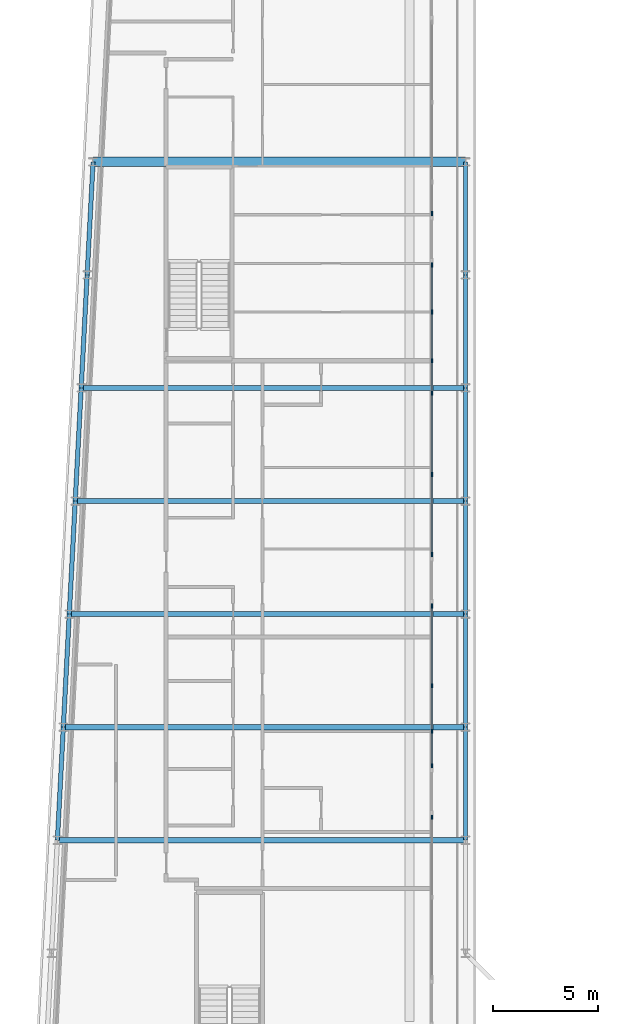
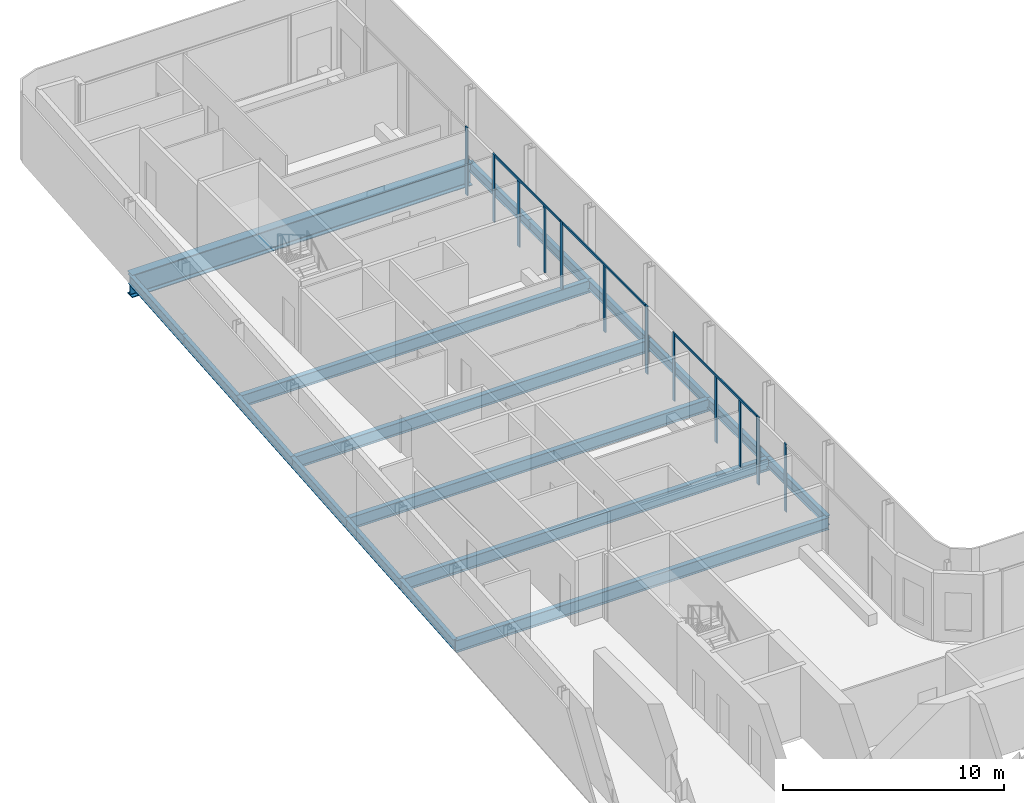
# One storey, part 7 of 21: 18 beams, 15 members, 5 elements without a shape of their own.
"""IFC4 building model written with IfcOpenShell, lengths in metres."""

from ifc_helpers import new_model, si_unit, direction, frame, origin, origin_2d, place, context, subcontext, project, spatial, rectangle, i_section, extrude, material, layer, layer_set, material_profile, profile_set, type_object, element, aggregate, save


model = new_model("IFC4")

# Units and contexts
model_context = context("Model", 3, precision=1e-05, world=origin(), true_north=direction((0.0, 1.0)))
body_context = subcontext(model_context, "Body", "Model", "MODEL_VIEW")
ifc_project = project(units=[si_unit("LENGTHUNIT", "METRE"), si_unit("AREAUNIT", "SQUARE_METRE"), si_unit("VOLUMEUNIT", "CUBIC_METRE"), si_unit("PLANEANGLEUNIT", "RADIAN"), si_unit("MASSUNIT", "GRAM", prefix="KILO")], contexts=[model_context])

# Site, building, storey
site_placement = place(None, origin())
site = spatial("IfcSite", under=ifc_project, at=site_placement, CompositionType="ELEMENT")
building_placement = place(site_placement, origin())
building = spatial("IfcBuilding", under=site, at=building_placement, Name="Kheshtan School and Residences Tower", CompositionType="ELEMENT")
storey_placement = place(building_placement, frame((0.0, 0.0, 302.0)))
storey = spatial("IfcBuildingStorey", under=building, at=storey_placement, Name="L71", CompositionType="ELEMENT", Elevation=302.0)

# Beams
ifc_material_1 = material(Name="Steel ASTM A992 Grade 50", Category="steel")
ifc_material_profile_1 = material_profile(ifc_material_1, i_section(OverallWidth=0.2529296875, OverallDepth=0.677978515625, WebThickness=0.01171875, FlangeThickness=0.016357421875, FilletRadius=0.0146484375, at=origin_2d()), Name="W690x125")
ifc_profile_set_1 = profile_set([ifc_material_profile_1], Name="Steel ASTM A992 Grade 50")
beam_type_1 = type_object("IfcBeamType", Name="Beam FB6 W690x125 ASTM A992 Grade 50", PredefinedType="BEAM", material=ifc_profile_set_1)
beam_1_placement = place(storey_placement, frame((47.60009765625, 78.0, -0.489013671875), z_axis=(-1.0, 0.0, 0.0), x_axis=(0.0, -1.0, 0.0)))
element("IfcBeam", 1, at=beam_1_placement, inside=storey, type_object=beam_type_1, Name="Floor beam C089", PredefinedType="BEAM", context=body_context, shape_type="SweptSolid", body=[
    extrude(i_section(OverallWidth=0.2529296875, OverallDepth=0.677978515625, WebThickness=0.01171875, FlangeThickness=0.016357421875, FilletRadius=0.0146484375, at=origin_2d()), origin(), (0.0, 0.0, 1.0), 18.357177734375),
])
beam_2_placement = place(storey_placement, frame((47.60009765625, 67.199951171875, -0.489013671875), z_axis=(-1.0, 0.0, 0.0), x_axis=(0.0, -1.0, 0.0)))
element("IfcBeam", 2, at=beam_2_placement, inside=storey, type_object=beam_type_1, Name="Floor beam C085", PredefinedType="BEAM", context=body_context, shape_type="SweptSolid", body=[
    extrude(i_section(OverallWidth=0.2529296875, OverallDepth=0.677978515625, WebThickness=0.01171875, FlangeThickness=0.016357421875, FilletRadius=0.0146484375, at=origin_2d()), origin(), (0.0, 0.0, 1.0), 18.926025390625),
])
beam_3_placement = place(storey_placement, frame((47.60009765625, 56.39990234375, -0.489013671875), z_axis=(-1.0, 0.0, 0.0), x_axis=(0.0, -1.0, 0.0)))
element("IfcBeam", 3, at=beam_3_placement, inside=storey, type_object=beam_type_1, Name="Floor beam C081", PredefinedType="BEAM", context=body_context, shape_type="SweptSolid", body=[
    extrude(i_section(OverallWidth=0.2529296875, OverallDepth=0.677978515625, WebThickness=0.01171875, FlangeThickness=0.016357421875, FilletRadius=0.0146484375, at=origin_2d()), origin(), (0.0, 0.0, 1.0), 19.494140625),
])
beam_4_placement = place(storey_placement, frame((28.389892578125, 61.800048828125, -0.489013671875), z_axis=(1.0, 0.0, 0.0), x_axis=(0.0, 1.0, 0.0)))
element("IfcBeam", 4, at=beam_4_placement, inside=storey, type_object=beam_type_1, Name="Floor beam C082", PredefinedType="BEAM", context=body_context, shape_type="SweptSolid", body=[
    extrude(i_section(OverallWidth=0.2529296875, OverallDepth=0.677978515625, WebThickness=0.01171875, FlangeThickness=0.016357421875, FilletRadius=0.0146484375, at=origin_2d()), origin(), (0.0, 0.0, 1.0), 19.210205078125),
])
beam_5_placement = place(storey_placement, frame((28.9580078125, 72.60009765625, -0.489013671875), z_axis=(1.0, 0.0, 0.0), x_axis=(0.0, 1.0, 0.0)))
element("IfcBeam", 5, at=beam_5_placement, inside=storey, type_object=beam_type_1, Name="Floor beam C086", PredefinedType="BEAM", context=body_context, shape_type="SweptSolid", body=[
    extrude(i_section(OverallWidth=0.2529296875, OverallDepth=0.677978515625, WebThickness=0.01171875, FlangeThickness=0.016357421875, FilletRadius=0.0146484375, at=origin_2d()), origin(), (0.0, 0.0, 1.0), 18.64208984375),
])
ifc_material_profile_2 = material_profile(ifc_material_1, i_section(OverallWidth=0.208984375, OverallDepth=0.532958984375, WebThickness=0.01025390625, FlangeThickness=0.015625, FilletRadius=0.013916015625, at=origin_2d()), Name="W530x92")
ifc_profile_set_2 = profile_set([ifc_material_profile_2], Name="Steel ASTM A992 Grade 50")
beam_type_2 = type_object("IfcBeamType", Name="Beam SP3 W530x92 ASTM A992 Grade 50", PredefinedType="BEAM", material=ifc_profile_set_2)
beam_6_placement = place(storey_placement, frame((47.60009765625, 88.800048828125, -0.41650390625), z_axis=(0.0, -1.0, 0.0), x_axis=(1.0, 0.0, 0.0)))
element("IfcBeam", 6, at=beam_6_placement, inside=storey, type_object=beam_type_2, Name="Spandrel beam C099-C091", PredefinedType="BEAM", context=body_context, shape_type="SweptSolid", body=[
    extrude(i_section(OverallWidth=0.208984375, OverallDepth=0.532958984375, WebThickness=0.01025390625, FlangeThickness=0.015625, FilletRadius=0.013916015625, at=origin_2d()), origin(), (0.0, 0.0, 1.0), 5.400146484375),
])
for number, where, z_axis, x_axis, name in (
    (7, (47.60009765625, 83.39990234375, -0.41650390625), (0.0, -1.0, 0.0), (1.0, 0.0, 0.0), "Spandrel beam C091-C089"),
    (8, (47.60009765625, 78.0, -0.41650390625), (0.0, -1.0, 0.0), (1.0, 0.0, 0.0), "Spandrel beam C089-C087"),
):
    element("IfcBeam", number, at=place(storey_placement, frame(where, z_axis=z_axis, x_axis=x_axis)), inside=storey, type_object=beam_type_2, Name=name, PredefinedType="BEAM", context=body_context, shape_type="SweptSolid", body=[
        extrude(i_section(OverallWidth=0.208984375, OverallDepth=0.532958984375, WebThickness=0.01025390625, FlangeThickness=0.015625, FilletRadius=0.013916015625, at=origin_2d()), origin(), (0.0, 0.0, 1.0), 5.39990234375),
    ])
beam_7_placement = place(storey_placement, frame((47.60009765625, 72.60009765625, -0.41650390625), z_axis=(0.0, -1.0, 0.0), x_axis=(1.0, 0.0, 0.0)))
element("IfcBeam", 9, at=beam_7_placement, inside=storey, type_object=beam_type_2, Name="Spandrel beam C087-C085", PredefinedType="BEAM", context=body_context, shape_type="SweptSolid", body=[
    extrude(i_section(OverallWidth=0.208984375, OverallDepth=0.532958984375, WebThickness=0.01025390625, FlangeThickness=0.015625, FilletRadius=0.013916015625, at=origin_2d()), origin(), (0.0, 0.0, 1.0), 5.400146484375),
])
beam_8_placement = place(storey_placement, frame((47.60009765625, 67.199951171875, -0.41650390625), z_axis=(0.0, -1.0, 0.0), x_axis=(1.0, 0.0, 0.0)))
element("IfcBeam", 10, at=beam_8_placement, inside=storey, type_object=beam_type_2, Name="Spandrel beam C085-C083", PredefinedType="BEAM", context=body_context, shape_type="SweptSolid", body=[
    extrude(i_section(OverallWidth=0.208984375, OverallDepth=0.532958984375, WebThickness=0.01025390625, FlangeThickness=0.015625, FilletRadius=0.013916015625, at=origin_2d()), origin(), (0.0, 0.0, 1.0), 5.39990234375),
])
beam_9_placement = place(storey_placement, frame((47.60009765625, 61.800048828125, -0.41650390625), z_axis=(0.0, -1.0, 0.0), x_axis=(1.0, 0.0, 0.0)))
element("IfcBeam", 11, at=beam_9_placement, inside=storey, type_object=beam_type_2, Name="Spandrel beam C083-C081", PredefinedType="BEAM", context=body_context, shape_type="SweptSolid", body=[
    extrude(i_section(OverallWidth=0.208984375, OverallDepth=0.532958984375, WebThickness=0.01025390625, FlangeThickness=0.015625, FilletRadius=0.013916015625, at=origin_2d()), origin(), (0.0, 0.0, 1.0), 5.400146484375),
])
beam_10_placement = place(storey_placement, frame((28.10595703125, 56.39990234375, -0.41650390625), z_axis=(0.05250670125, 0.998620571751, 0.0), x_axis=(-0.998620571751, 0.05250670125, 0.0)))
element("IfcBeam", 12, at=beam_10_placement, inside=storey, type_object=beam_type_2, Name="Spandrel beam C080-C082", PredefinedType="BEAM", context=body_context, shape_type="SweptSolid", body=[
    extrude(i_section(OverallWidth=0.208984375, OverallDepth=0.532958984375, WebThickness=0.01025390625, FlangeThickness=0.015625, FilletRadius=0.013916015625, at=origin_2d()), origin(), (0.0, 0.0, 1.0), 5.40771484375),
])
beam_11_placement = place(storey_placement, frame((28.389892578125, 61.800048828125, -0.41650390625), z_axis=(0.052554093665, 0.998618078766, 0.0), x_axis=(-0.998618078766, 0.052554093665, 0.0)))
element("IfcBeam", 13, at=beam_11_placement, inside=storey, type_object=beam_type_2, Name="Spandrel beam C082-C084", PredefinedType="BEAM", context=body_context, shape_type="SweptSolid", body=[
    extrude(i_section(OverallWidth=0.208984375, OverallDepth=0.532958984375, WebThickness=0.01025390625, FlangeThickness=0.015625, FilletRadius=0.013916015625, at=origin_2d()), origin(), (0.0, 0.0, 1.0), 5.407470703125),
])
beam_12_placement = place(storey_placement, frame((28.674072265625, 67.199951171875, -0.41650390625), z_axis=(0.05250670125, 0.998620571751, 0.0), x_axis=(-0.998620571751, 0.05250670125, 0.0)))
element("IfcBeam", 14, at=beam_12_placement, inside=storey, type_object=beam_type_2, Name="Spandrel beam C084-C086", PredefinedType="BEAM", context=body_context, shape_type="SweptSolid", body=[
    extrude(i_section(OverallWidth=0.208984375, OverallDepth=0.532958984375, WebThickness=0.01025390625, FlangeThickness=0.015625, FilletRadius=0.013916015625, at=origin_2d()), origin(), (0.0, 0.0, 1.0), 5.40771484375),
])
for number, where, z_axis, x_axis, name in (
    (15, (28.9580078125, 72.60009765625, -0.41650390625), (0.052689166816, 0.998610961136, 0.0), (-0.998610961136, 0.052689166816, 0.0), "Spandrel beam C086-C088"),
    (16, (29.242919921875, 78.0, -0.41650390625), (0.052554093665, 0.998618078766, 0.0), (-0.998618078766, 0.052554093665, 0.0), "Spandrel beam C088-C090"),
):
    element("IfcBeam", number, at=place(storey_placement, frame(where, z_axis=z_axis, x_axis=x_axis)), inside=storey, type_object=beam_type_2, Name=name, PredefinedType="BEAM", context=body_context, shape_type="SweptSolid", body=[
        extrude(i_section(OverallWidth=0.208984375, OverallDepth=0.532958984375, WebThickness=0.01025390625, FlangeThickness=0.015625, FilletRadius=0.013916015625, at=origin_2d()), origin(), (0.0, 0.0, 1.0), 5.407470703125),
    ])
beam_13_placement = place(storey_placement, frame((29.527099609375, 83.39990234375, -0.41650390625), z_axis=(0.05250670125, 0.998620571751, 0.0), x_axis=(-0.998620571751, 0.05250670125, 0.0)))
element("IfcBeam", 17, at=beam_13_placement, inside=storey, type_object=beam_type_2, Name="Spandrel beam C090-C098", PredefinedType="BEAM", context=body_context, shape_type="SweptSolid", body=[
    extrude(i_section(OverallWidth=0.208984375, OverallDepth=0.532958984375, WebThickness=0.01025390625, FlangeThickness=0.015625, FilletRadius=0.013916015625, at=origin_2d()), origin(), (0.0, 0.0, 1.0), 5.40771484375),
])

# Curtain wall, member
ifc_material_2 = material(Name="Clear low-e glass in thermally broken aluminium frame", Category="aluminium")
ifc_layer = layer(ifc_material_2, 0.199951171875)
ifc_layer_set = layer_set([ifc_layer], Name="Curtain wall CW-L")
curtain_wall_type = type_object("IfcCurtainWallType", Name="Curtain wall CW-L", PredefinedType="NOTDEFINED", material=ifc_layer_set)
curtain_wall_1_placement = place(storey_placement, origin())
curtain_wall_1 = element("IfcCurtainWall", 18, at=curtain_wall_1_placement, inside=storey, type_object=curtain_wall_type, Name="Curtain wall CWL8a", PredefinedType="NOTDEFINED")
ifc_material_3 = material(Name="Thermally broken aluminium, dark bronze anodised", Category="aluminium")
ifc_material_profile_3 = material_profile(ifc_material_3, rectangle(XDim=0.06005859375, YDim=0.199951171875, at=origin_2d()), Name="CW-L mullion 60x200")
ifc_profile_set_3 = profile_set([ifc_material_profile_3], Name="Thermally broken aluminium, dark bronze anodised")
member_type_1 = type_object("IfcMemberType", Name="CW-L mullion 60x200", PredefinedType="MULLION", material=ifc_profile_set_3)
member_1_placement = place(storey_placement, frame((46.0, 86.3359375, 0.0), z_axis=(0.0, 0.0, 1.0), x_axis=(1.0, 0.0, 0.0)))
member_1 = element("IfcMember", 19, at=member_1_placement, type_object=member_type_1, Name="CWL8a mullion 2", PredefinedType="MULLION", context=body_context, shape_type="SweptSolid", body=[
    extrude(rectangle(XDim=0.06005859375, YDim=0.199951171875, at=origin_2d()), origin(), (0.0, 0.0, 1.0), 3.75),
])
aggregate(curtain_wall_1, [member_1])

# Curtain wall, members
curtain_wall_2_placement = place(storey_placement, origin())
curtain_wall_2 = element("IfcCurtainWall", 20, at=curtain_wall_2_placement, inside=storey, type_object=curtain_wall_type, Name="Curtain wall CWL8b", PredefinedType="NOTDEFINED")
member_2_placement = place(storey_placement, frame((46.0, 83.8759765625, 0.0), z_axis=(0.0, 0.0, 1.0), x_axis=(1.0, 0.0, 0.0)))
member_2 = element("IfcMember", 21, at=member_2_placement, type_object=member_type_1, Name="CWL8b mullion 1", PredefinedType="MULLION", context=body_context, shape_type="SweptSolid", body=[
    extrude(rectangle(XDim=0.06005859375, YDim=0.199951171875, at=origin_2d()), origin(), (0.0, 0.0, 1.0), 3.75),
])
member_3_placement = place(storey_placement, frame((46.0, 81.625, 0.0), z_axis=(0.0, 0.0, 1.0), x_axis=(1.0, 0.0, 0.0)))
member_3 = element("IfcMember", 22, at=member_3_placement, type_object=member_type_1, Name="CWL8b mullion 2", PredefinedType="MULLION", context=body_context, shape_type="SweptSolid", body=[
    extrude(rectangle(XDim=0.06005859375, YDim=0.199951171875, at=origin_2d()), origin(), (0.0, 0.0, 1.0), 3.6298828125),
])
member_4_placement = place(storey_placement, frame((46.0, 79.300048828125, 0.0), z_axis=(0.0, 0.0, 1.0), x_axis=(1.0, 0.0, 0.0)))
member_4 = element("IfcMember", 23, at=member_4_placement, type_object=member_type_1, Name="CWL8b mullion 3", PredefinedType="MULLION", context=body_context, shape_type="SweptSolid", body=[
    extrude(rectangle(XDim=0.06005859375, YDim=0.199951171875, at=origin_2d()), origin(), (0.0, 0.0, 1.0), 3.6298828125),
])
member_5_placement = place(storey_placement, frame((46.0, 77.741943359375, 0.0), z_axis=(0.0, 0.0, 1.0), x_axis=(1.0, 0.0, 0.0)))
member_5 = element("IfcMember", 24, at=member_5_placement, type_object=member_type_1, Name="CWL8b mullion 4", PredefinedType="MULLION", context=body_context, shape_type="SweptSolid", body=[
    extrude(rectangle(XDim=0.06005859375, YDim=0.199951171875, at=origin_2d()), origin(), (0.0, 0.0, 1.0), 3.75),
])

curtain_wall_3_placement = place(storey_placement, origin())
curtain_wall_3 = element("IfcCurtainWall", 25, at=curtain_wall_3_placement, inside=storey, type_object=curtain_wall_type, Name="Curtain wall CWL8", PredefinedType="NOTDEFINED")
member_6_placement = place(storey_placement, frame((46.0, 73.864990234375, 0.0), z_axis=(0.0, 0.0, 1.0), x_axis=(1.0, 0.0, 0.0)))
member_6 = element("IfcMember", 26, at=member_6_placement, type_object=member_type_1, Name="CWL8 mullion 2", PredefinedType="MULLION", context=body_context, shape_type="SweptSolid", body=[
    extrude(rectangle(XDim=0.06005859375, YDim=0.199951171875, at=origin_2d()), origin(), (0.0, 0.0, 1.0), 3.6298828125),
])
member_7_placement = place(storey_placement, frame((46.0, 70.048095703125, 0.0), z_axis=(0.0, 0.0, 1.0), x_axis=(1.0, 0.0, 0.0)))
member_7 = element("IfcMember", 27, at=member_7_placement, type_object=member_type_1, Name="CWL8 mullion 3", PredefinedType="MULLION", context=body_context, shape_type="SweptSolid", body=[
    extrude(rectangle(XDim=0.06005859375, YDim=0.199951171875, at=origin_2d()), origin(), (0.0, 0.0, 1.0), 3.75),
])

curtain_wall_4_placement = place(storey_placement, origin())
curtain_wall_4 = element("IfcCurtainWall", 28, at=curtain_wall_4_placement, inside=storey, type_object=curtain_wall_type, Name="Curtain wall CWL8c", PredefinedType="NOTDEFINED")
member_8_placement = place(storey_placement, frame((46.0, 67.587890625, 0.0), z_axis=(0.0, 0.0, 1.0), x_axis=(1.0, 0.0, 0.0)))
member_8 = element("IfcMember", 29, at=member_8_placement, type_object=member_type_1, Name="CWL8c mullion 1", PredefinedType="MULLION", context=body_context, shape_type="SweptSolid", body=[
    extrude(rectangle(XDim=0.06005859375, YDim=0.199951171875, at=origin_2d()), origin(), (0.0, 0.0, 1.0), 3.75),
])
member_9_placement = place(storey_placement, frame((46.0, 63.77099609375, 0.0), z_axis=(0.0, 0.0, 1.0), x_axis=(1.0, 0.0, 0.0)))
member_9 = element("IfcMember", 30, at=member_9_placement, type_object=member_type_1, Name="CWL8c mullion 2", PredefinedType="MULLION", context=body_context, shape_type="SweptSolid", body=[
    extrude(rectangle(XDim=0.06005859375, YDim=0.199951171875, at=origin_2d()), origin(), (0.0, 0.0, 1.0), 3.6298828125),
])
member_10_placement = place(storey_placement, frame((46.0, 61.60009765625, 0.0), z_axis=(0.0, 0.0, 1.0), x_axis=(1.0, 0.0, 0.0)))
member_10 = element("IfcMember", 31, at=member_10_placement, type_object=member_type_1, Name="CWL8c mullion 3", PredefinedType="MULLION", context=body_context, shape_type="SweptSolid", body=[
    extrude(rectangle(XDim=0.06005859375, YDim=0.199951171875, at=origin_2d()), origin(), (0.0, 0.0, 1.0), 3.6298828125),
])
member_11_placement = place(storey_placement, frame((46.0, 59.9541015625, 0.0), z_axis=(0.0, 0.0, 1.0), x_axis=(1.0, 0.0, 0.0)))
member_11 = element("IfcMember", 32, at=member_11_placement, type_object=member_type_1, Name="CWL8c mullion 4", PredefinedType="MULLION", context=body_context, shape_type="SweptSolid", body=[
    extrude(rectangle(XDim=0.06005859375, YDim=0.199951171875, at=origin_2d()), origin(), (0.0, 0.0, 1.0), 3.75),
])

# Curtain wall, member
curtain_wall_5_placement = place(storey_placement, origin())
curtain_wall_5 = element("IfcCurtainWall", 33, at=curtain_wall_5_placement, inside=storey, type_object=curtain_wall_type, Name="Curtain wall CWL8", PredefinedType="NOTDEFINED")
member_12_placement = place(storey_placement, frame((46.0, 57.493896484375, 0.0), z_axis=(0.0, 0.0, 1.0), x_axis=(1.0, 0.0, 0.0)))
member_12 = element("IfcMember", 34, at=member_12_placement, type_object=member_type_1, Name="CWL8 mullion 1", PredefinedType="MULLION", context=body_context, shape_type="SweptSolid", body=[
    extrude(rectangle(XDim=0.06005859375, YDim=0.199951171875, at=origin_2d()), origin(), (0.0, 0.0, 1.0), 3.75),
])
aggregate(curtain_wall_5, [member_12])

# Member
ifc_material_profile_4 = material_profile(ifc_material_3, rectangle(XDim=0.06005859375, YDim=0.1201171875, at=origin_2d()), Name="CW-L transom 60x120")
ifc_profile_set_4 = profile_set([ifc_material_profile_4], Name="Thermally broken aluminium, dark bronze anodised")
member_type_2 = type_object("IfcMemberType", Name="CW-L transom 60x120", PredefinedType="USERDEFINED", material=ifc_profile_set_4)
member_13_placement = place(storey_placement, frame((46.0, 83.845947265625, 3.68994140625), z_axis=(0.0, -1.0, 0.0), x_axis=(1.0, 0.0, 0.0)))
member_13 = element("IfcMember", 35, at=member_13_placement, type_object=member_type_2, Name="CWL8b transom 1", ObjectType="TRANSOM", PredefinedType="USERDEFINED", context=body_context, shape_type="SweptSolid", body=[
    extrude(rectangle(XDim=0.06005859375, YDim=0.1201171875, at=origin_2d()), origin(), (0.0, 0.0, 1.0), 6.073974609375),
])

aggregate(curtain_wall_2, [member_2, member_3, member_4, member_5, member_13])

member_14_placement = place(storey_placement, frame((46.0, 77.7119140625, 3.68994140625), z_axis=(0.0, -1.0, 0.0), x_axis=(1.0, 0.0, 0.0)))
member_14 = element("IfcMember", 36, at=member_14_placement, type_object=member_type_2, Name="CWL8 transom 1", ObjectType="TRANSOM", PredefinedType="USERDEFINED", context=body_context, shape_type="SweptSolid", body=[
    extrude(rectangle(XDim=0.06005859375, YDim=0.1201171875, at=origin_2d()), origin(), (0.0, 0.0, 1.0), 7.634033203125),
])

aggregate(curtain_wall_3, [member_6, member_7, member_14])

member_15_placement = place(storey_placement, frame((46.0, 67.55810546875, 3.68994140625), z_axis=(0.0, -1.0, 0.0), x_axis=(1.0, 0.0, 0.0)))
member_15 = element("IfcMember", 37, at=member_15_placement, type_object=member_type_2, Name="CWL8c transom 1", ObjectType="TRANSOM", PredefinedType="USERDEFINED", context=body_context, shape_type="SweptSolid", body=[
    extrude(rectangle(XDim=0.06005859375, YDim=0.1201171875, at=origin_2d()), origin(), (0.0, 0.0, 1.0), 7.57421875),
])

aggregate(curtain_wall_4, [member_8, member_9, member_10, member_11, member_15])

# Beam
ifc_material_profile_5 = material_profile(ifc_material_1, i_section(OverallWidth=0.449951171875, OverallDepth=1.25, WebThickness=0.02490234375, FlangeThickness=0.044921875, FilletRadius=0.03759765625, at=origin_2d()), Name="WWF1250x546")
ifc_profile_set_5 = profile_set([ifc_material_profile_5], Name="Steel ASTM A992 Grade 50")
beam_type_3 = type_object("IfcBeamType", Name="Transfer girder TG4 WWF1250x546 ASTM A992 Grade 50", PredefinedType="BEAM", material=ifc_profile_set_5)
beam_14_placement = place(storey_placement, frame((29.81103515625, 88.800048828125, -0.77490234375), z_axis=(1.0, 0.0, 0.0), x_axis=(0.0, 1.0, 0.0)))
element("IfcBeam", 38, at=beam_14_placement, inside=storey, type_object=beam_type_3, Name="Transfer girder C098-C099", PredefinedType="BEAM", context=body_context, shape_type="SweptSolid", body=[
    extrude(i_section(OverallWidth=0.449951171875, OverallDepth=1.25, WebThickness=0.02490234375, FlangeThickness=0.044921875, FilletRadius=0.03759765625, at=origin_2d()), origin(), (0.0, 0.0, 1.0), 17.7890625),
])

save(model, "model.ifc")
